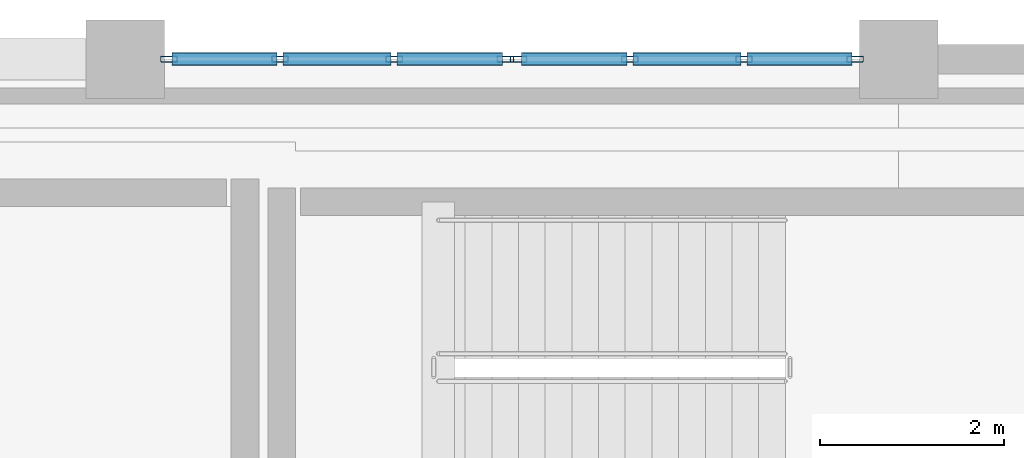
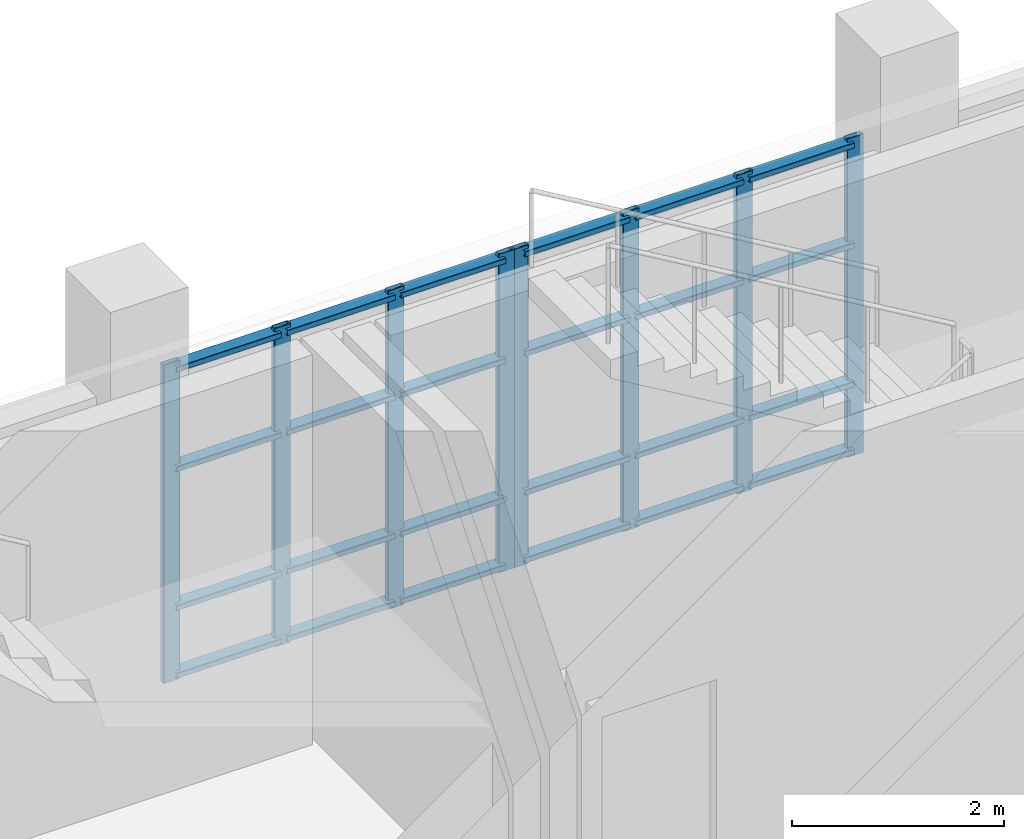
# One storey, part 33 of 97: 32 members, 2 elements without a shape of their own.
"""IFC4 building model written with IfcOpenShell, lengths in metres."""

from ifc_helpers import new_model, si_unit, direction, frame, origin, origin_2d, place, context, subcontext, project, spatial, hollow_rectangle, extrude, material, layer, layer_set, material_profile, profile_set, type_object, element, aggregate, save


model = new_model("IFC4")

# Units and contexts
model_context = context("Model", 3, precision=1e-05, world=origin(), true_north=direction((0.0, 1.0)))
body_context = subcontext(model_context, "Body", "Model", "MODEL_VIEW")
ifc_project = project(units=[si_unit("LENGTHUNIT", "METRE"), si_unit("AREAUNIT", "SQUARE_METRE"), si_unit("VOLUMEUNIT", "CUBIC_METRE"), si_unit("PLANEANGLEUNIT", "RADIAN"), si_unit("MASSUNIT", "GRAM", prefix="KILO")], contexts=[model_context])

# Site, building, storey
site_placement = place(None, origin())
site = spatial("IfcSite", under=ifc_project, at=site_placement, CompositionType="ELEMENT")
building_placement = place(site_placement, origin())
building = spatial("IfcBuilding", under=site, at=building_placement, Name="Kisaragi Civic Commons", CompositionType="ELEMENT")
storey_placement = place(building_placement, origin())
storey = spatial("IfcBuildingStorey", under=building, at=storey_placement, Name="L00", CompositionType="ELEMENT", Elevation=0.0)

# Curtain wall, members
ifc_material = material(Name="Thermally broken anodized aluminium and low-E double glazing", Category="aluminium")
ifc_layer = layer(ifc_material, 0.179931640625, Name="Thermally broken anodized aluminium and low-E double glazing", Category="aluminium")
ifc_layer_set = layer_set([ifc_layer], Name="Thermally broken anodized aluminium and low-E double glazing")
curtain_wall_type = type_object("IfcCurtainWallType", Name="CW-01", PredefinedType="NOTDEFINED", material=ifc_layer_set)
curtain_wall_1_placement = place(storey_placement, origin())
curtain_wall_1 = element("IfcCurtainWall", 1, at=curtain_wall_1_placement, inside=storey, type_object=curtain_wall_type, Name="L00 curtain wall CW-01 CW-V4-L00-045", PredefinedType="NOTDEFINED")
ifc_material_profile_1 = material_profile(ifc_material, hollow_rectangle(XDim=0.06494140625, YDim=0.179931640625, WallThickness=0.00439453125, InnerFilletRadius=0.00439453125, OuterFilletRadius=0.009033203125, at=origin_2d()), Name="CWM-65x180x4.5", Category="aluminium")
ifc_profile_set_1 = profile_set([ifc_material_profile_1], Name="Thermally broken anodized aluminium and low-E double glazing")
member_type_1 = type_object("IfcMemberType", Name="CWM-02", PredefinedType="MULLION", material=ifc_profile_set_1)
member_1_placement = place(storey_placement, frame((97.672607421875, 118.800048828125, 0.0), z_axis=(0.0, 0.0, 1.0), x_axis=(0.0, 1.0, 0.0)))
member_1 = element("IfcMember", 2, at=member_1_placement, type_object=member_type_1, Name="CW-01 mullion 1", PredefinedType="MULLION", context=body_context, shape_type="SweptSolid", body=[
    extrude(hollow_rectangle(XDim=0.06494140625, YDim=0.179931640625, WallThickness=0.00439453125, InnerFilletRadius=0.00439453125, OuterFilletRadius=0.009033203125, at=origin_2d()), origin(), (0.0, 0.0, 1.0), 3.669921875),
])
member_2_placement = place(storey_placement, frame((98.8798828125, 118.800048828125, 0.0), z_axis=(0.0, 0.0, 1.0), x_axis=(0.0, 1.0, 0.0)))
member_2 = element("IfcMember", 3, at=member_2_placement, type_object=member_type_1, Name="CW-01 mullion 2", PredefinedType="MULLION", context=body_context, shape_type="SweptSolid", body=[
    extrude(hollow_rectangle(XDim=0.06494140625, YDim=0.179931640625, WallThickness=0.00439453125, InnerFilletRadius=0.00439453125, OuterFilletRadius=0.009033203125, at=origin_2d()), origin(), (0.0, 0.0, 1.0), 3.669921875),
])
member_3_placement = place(storey_placement, frame((100.1201171875, 118.800048828125, 0.0), z_axis=(0.0, 0.0, 1.0), x_axis=(0.0, 1.0, 0.0)))
member_3 = element("IfcMember", 4, at=member_3_placement, type_object=member_type_1, Name="CW-01 mullion 3", PredefinedType="MULLION", context=body_context, shape_type="SweptSolid", body=[
    extrude(hollow_rectangle(XDim=0.06494140625, YDim=0.179931640625, WallThickness=0.00439453125, InnerFilletRadius=0.00439453125, OuterFilletRadius=0.009033203125, at=origin_2d()), origin(), (0.0, 0.0, 1.0), 3.669921875),
])
member_4_placement = place(storey_placement, frame((101.327392578125, 118.800048828125, 0.0), z_axis=(0.0, 0.0, 1.0), x_axis=(0.0, 1.0, 0.0)))
member_4 = element("IfcMember", 5, at=member_4_placement, type_object=member_type_1, Name="CW-01 mullion 4", PredefinedType="MULLION", context=body_context, shape_type="SweptSolid", body=[
    extrude(hollow_rectangle(XDim=0.06494140625, YDim=0.179931640625, WallThickness=0.00439453125, InnerFilletRadius=0.00439453125, OuterFilletRadius=0.009033203125, at=origin_2d()), origin(), (0.0, 0.0, 1.0), 3.669921875),
])

curtain_wall_2_placement = place(storey_placement, origin())
curtain_wall_2 = element("IfcCurtainWall", 6, at=curtain_wall_2_placement, inside=storey, type_object=curtain_wall_type, Name="L00 curtain wall CW-01 CW-V4-L00-046", PredefinedType="NOTDEFINED")
member_5_placement = place(storey_placement, frame((101.472412109375, 118.800048828125, 0.0), z_axis=(0.0, 0.0, 1.0), x_axis=(0.0, 1.0, 0.0)))
member_5 = element("IfcMember", 7, at=member_5_placement, type_object=member_type_1, Name="CW-01 mullion 1", PredefinedType="MULLION", context=body_context, shape_type="SweptSolid", body=[
    extrude(hollow_rectangle(XDim=0.06494140625, YDim=0.179931640625, WallThickness=0.00439453125, InnerFilletRadius=0.00439453125, OuterFilletRadius=0.009033203125, at=origin_2d()), origin(), (0.0, 0.0, 1.0), 3.669921875),
])
member_6_placement = place(storey_placement, frame((102.679931640625, 118.800048828125, 0.0), z_axis=(0.0, 0.0, 1.0), x_axis=(0.0, 1.0, 0.0)))
member_6 = element("IfcMember", 8, at=member_6_placement, type_object=member_type_1, Name="CW-01 mullion 2", PredefinedType="MULLION", context=body_context, shape_type="SweptSolid", body=[
    extrude(hollow_rectangle(XDim=0.06494140625, YDim=0.179931640625, WallThickness=0.00439453125, InnerFilletRadius=0.00439453125, OuterFilletRadius=0.009033203125, at=origin_2d()), origin(), (0.0, 0.0, 1.0), 3.669921875),
])
member_7_placement = place(storey_placement, frame((103.919921875, 118.800048828125, 0.0), z_axis=(0.0, 0.0, 1.0), x_axis=(0.0, 1.0, 0.0)))
member_7 = element("IfcMember", 9, at=member_7_placement, type_object=member_type_1, Name="CW-01 mullion 3", PredefinedType="MULLION", context=body_context, shape_type="SweptSolid", body=[
    extrude(hollow_rectangle(XDim=0.06494140625, YDim=0.179931640625, WallThickness=0.00439453125, InnerFilletRadius=0.00439453125, OuterFilletRadius=0.009033203125, at=origin_2d()), origin(), (0.0, 0.0, 1.0), 3.669921875),
])
member_8_placement = place(storey_placement, frame((105.12744140625, 118.800048828125, 0.0), z_axis=(0.0, 0.0, 1.0), x_axis=(0.0, 1.0, 0.0)))
member_8 = element("IfcMember", 10, at=member_8_placement, type_object=member_type_1, Name="CW-01 mullion 4", PredefinedType="MULLION", context=body_context, shape_type="SweptSolid", body=[
    extrude(hollow_rectangle(XDim=0.06494140625, YDim=0.179931640625, WallThickness=0.00439453125, InnerFilletRadius=0.00439453125, OuterFilletRadius=0.009033203125, at=origin_2d()), origin(), (0.0, 0.0, 1.0), 3.669921875),
])

# Member
ifc_material_profile_2 = material_profile(ifc_material, hollow_rectangle(XDim=0.139892578125, YDim=0.06494140625, WallThickness=0.00439453125, InnerFilletRadius=0.00439453125, OuterFilletRadius=0.009033203125, at=origin_2d()), Name="CWT-65x140x4.5", Category="aluminium")
ifc_profile_set_2 = profile_set([ifc_material_profile_2], Name="Thermally broken anodized aluminium and low-E double glazing")
member_type_2 = type_object("IfcMemberType", Name="CWT-02", PredefinedType="USERDEFINED", material=ifc_profile_set_2)
member_9_placement = place(storey_placement, frame((97.705078125, 118.800048828125, 0.070068359375), z_axis=(1.0, 0.0, 0.0), x_axis=(0.0, 1.0, 0.0)))
member_9 = element("IfcMember", 11, at=member_9_placement, type_object=member_type_2, Name="CW-01 transom 1.1", ObjectType="TRANSOM", PredefinedType="USERDEFINED", context=body_context, shape_type="SweptSolid", body=[
    extrude(hollow_rectangle(XDim=0.139892578125, YDim=0.06494140625, WallThickness=0.00439453125, InnerFilletRadius=0.00439453125, OuterFilletRadius=0.009033203125, at=origin_2d()), origin(), (0.0, 0.0, 1.0), 1.142333984375),
])

member_10_placement = place(storey_placement, frame((97.705078125, 118.800048828125, 0.85009765625), z_axis=(1.0, 0.0, 0.0), x_axis=(0.0, 1.0, 0.0)))
member_10 = element("IfcMember", 12, at=member_10_placement, type_object=member_type_2, Name="CW-01 transom 1.2", ObjectType="TRANSOM", PredefinedType="USERDEFINED", context=body_context, shape_type="SweptSolid", body=[
    extrude(hollow_rectangle(XDim=0.139892578125, YDim=0.06494140625, WallThickness=0.00439453125, InnerFilletRadius=0.00439453125, OuterFilletRadius=0.009033203125, at=origin_2d()), origin(), (0.0, 0.0, 1.0), 1.142333984375),
])

member_11_placement = place(storey_placement, frame((97.705078125, 118.800048828125, 2.449951171875), z_axis=(1.0, 0.0, 0.0), x_axis=(0.0, 1.0, 0.0)))
member_11 = element("IfcMember", 13, at=member_11_placement, type_object=member_type_2, Name="CW-01 transom 1.3", ObjectType="TRANSOM", PredefinedType="USERDEFINED", context=body_context, shape_type="SweptSolid", body=[
    extrude(hollow_rectangle(XDim=0.139892578125, YDim=0.06494140625, WallThickness=0.00439453125, InnerFilletRadius=0.00439453125, OuterFilletRadius=0.009033203125, at=origin_2d()), origin(), (0.0, 0.0, 1.0), 1.142333984375),
])

member_12_placement = place(storey_placement, frame((97.705078125, 118.800048828125, 3.60009765625), z_axis=(1.0, 0.0, 0.0), x_axis=(0.0, 1.0, 0.0)))
member_12 = element("IfcMember", 14, at=member_12_placement, type_object=member_type_2, Name="CW-01 transom 1.4", ObjectType="TRANSOM", PredefinedType="USERDEFINED", context=body_context, shape_type="SweptSolid", body=[
    extrude(hollow_rectangle(XDim=0.139892578125, YDim=0.06494140625, WallThickness=0.00439453125, InnerFilletRadius=0.00439453125, OuterFilletRadius=0.009033203125, at=origin_2d()), origin(), (0.0, 0.0, 1.0), 1.142333984375),
])

member_13_placement = place(storey_placement, frame((98.91259765625, 118.800048828125, 0.070068359375), z_axis=(1.0, 0.0, 0.0), x_axis=(0.0, 1.0, 0.0)))
member_13 = element("IfcMember", 15, at=member_13_placement, type_object=member_type_2, Name="CW-01 transom 2.1", ObjectType="TRANSOM", PredefinedType="USERDEFINED", context=body_context, shape_type="SweptSolid", body=[
    extrude(hollow_rectangle(XDim=0.139892578125, YDim=0.06494140625, WallThickness=0.00439453125, InnerFilletRadius=0.00439453125, OuterFilletRadius=0.009033203125, at=origin_2d()), origin(), (0.0, 0.0, 1.0), 1.1748046875),
])

member_14_placement = place(storey_placement, frame((98.91259765625, 118.800048828125, 0.85009765625), z_axis=(1.0, 0.0, 0.0), x_axis=(0.0, 1.0, 0.0)))
member_14 = element("IfcMember", 16, at=member_14_placement, type_object=member_type_2, Name="CW-01 transom 2.2", ObjectType="TRANSOM", PredefinedType="USERDEFINED", context=body_context, shape_type="SweptSolid", body=[
    extrude(hollow_rectangle(XDim=0.139892578125, YDim=0.06494140625, WallThickness=0.00439453125, InnerFilletRadius=0.00439453125, OuterFilletRadius=0.009033203125, at=origin_2d()), origin(), (0.0, 0.0, 1.0), 1.1748046875),
])

member_15_placement = place(storey_placement, frame((98.91259765625, 118.800048828125, 2.449951171875), z_axis=(1.0, 0.0, 0.0), x_axis=(0.0, 1.0, 0.0)))
member_15 = element("IfcMember", 17, at=member_15_placement, type_object=member_type_2, Name="CW-01 transom 2.3", ObjectType="TRANSOM", PredefinedType="USERDEFINED", context=body_context, shape_type="SweptSolid", body=[
    extrude(hollow_rectangle(XDim=0.139892578125, YDim=0.06494140625, WallThickness=0.00439453125, InnerFilletRadius=0.00439453125, OuterFilletRadius=0.009033203125, at=origin_2d()), origin(), (0.0, 0.0, 1.0), 1.1748046875),
])

member_16_placement = place(storey_placement, frame((98.91259765625, 118.800048828125, 3.60009765625), z_axis=(1.0, 0.0, 0.0), x_axis=(0.0, 1.0, 0.0)))
member_16 = element("IfcMember", 18, at=member_16_placement, type_object=member_type_2, Name="CW-01 transom 2.4", ObjectType="TRANSOM", PredefinedType="USERDEFINED", context=body_context, shape_type="SweptSolid", body=[
    extrude(hollow_rectangle(XDim=0.139892578125, YDim=0.06494140625, WallThickness=0.00439453125, InnerFilletRadius=0.00439453125, OuterFilletRadius=0.009033203125, at=origin_2d()), origin(), (0.0, 0.0, 1.0), 1.1748046875),
])

member_17_placement = place(storey_placement, frame((100.152587890625, 118.800048828125, 0.070068359375), z_axis=(1.0, 0.0, 0.0), x_axis=(0.0, 1.0, 0.0)))
member_17 = element("IfcMember", 19, at=member_17_placement, type_object=member_type_2, Name="CW-01 transom 3.1", ObjectType="TRANSOM", PredefinedType="USERDEFINED", context=body_context, shape_type="SweptSolid", body=[
    extrude(hollow_rectangle(XDim=0.139892578125, YDim=0.06494140625, WallThickness=0.00439453125, InnerFilletRadius=0.00439453125, OuterFilletRadius=0.009033203125, at=origin_2d()), origin(), (0.0, 0.0, 1.0), 1.142333984375),
])

member_18_placement = place(storey_placement, frame((100.152587890625, 118.800048828125, 0.85009765625), z_axis=(1.0, 0.0, 0.0), x_axis=(0.0, 1.0, 0.0)))
member_18 = element("IfcMember", 20, at=member_18_placement, type_object=member_type_2, Name="CW-01 transom 3.2", ObjectType="TRANSOM", PredefinedType="USERDEFINED", context=body_context, shape_type="SweptSolid", body=[
    extrude(hollow_rectangle(XDim=0.139892578125, YDim=0.06494140625, WallThickness=0.00439453125, InnerFilletRadius=0.00439453125, OuterFilletRadius=0.009033203125, at=origin_2d()), origin(), (0.0, 0.0, 1.0), 1.142333984375),
])

member_19_placement = place(storey_placement, frame((100.152587890625, 118.800048828125, 2.449951171875), z_axis=(1.0, 0.0, 0.0), x_axis=(0.0, 1.0, 0.0)))
member_19 = element("IfcMember", 21, at=member_19_placement, type_object=member_type_2, Name="CW-01 transom 3.3", ObjectType="TRANSOM", PredefinedType="USERDEFINED", context=body_context, shape_type="SweptSolid", body=[
    extrude(hollow_rectangle(XDim=0.139892578125, YDim=0.06494140625, WallThickness=0.00439453125, InnerFilletRadius=0.00439453125, OuterFilletRadius=0.009033203125, at=origin_2d()), origin(), (0.0, 0.0, 1.0), 1.142333984375),
])

member_20_placement = place(storey_placement, frame((100.152587890625, 118.800048828125, 3.60009765625), z_axis=(1.0, 0.0, 0.0), x_axis=(0.0, 1.0, 0.0)))
member_20 = element("IfcMember", 22, at=member_20_placement, type_object=member_type_2, Name="CW-01 transom 3.4", ObjectType="TRANSOM", PredefinedType="USERDEFINED", context=body_context, shape_type="SweptSolid", body=[
    extrude(hollow_rectangle(XDim=0.139892578125, YDim=0.06494140625, WallThickness=0.00439453125, InnerFilletRadius=0.00439453125, OuterFilletRadius=0.009033203125, at=origin_2d()), origin(), (0.0, 0.0, 1.0), 1.142333984375),
])

aggregate(curtain_wall_1, [member_1, member_2, member_3, member_4, member_9, member_10, member_11, member_12, member_13, member_14, member_15, member_16, member_17, member_18, member_19, member_20])

member_21_placement = place(storey_placement, frame((101.5048828125, 118.800048828125, 0.070068359375), z_axis=(1.0, 0.0, 0.0), x_axis=(0.0, 1.0, 0.0)))
member_21 = element("IfcMember", 23, at=member_21_placement, type_object=member_type_2, Name="CW-01 transom 1.1", ObjectType="TRANSOM", PredefinedType="USERDEFINED", context=body_context, shape_type="SweptSolid", body=[
    extrude(hollow_rectangle(XDim=0.139892578125, YDim=0.06494140625, WallThickness=0.00439453125, InnerFilletRadius=0.00439453125, OuterFilletRadius=0.009033203125, at=origin_2d()), origin(), (0.0, 0.0, 1.0), 1.142578125),
])

member_22_placement = place(storey_placement, frame((101.5048828125, 118.800048828125, 0.85009765625), z_axis=(1.0, 0.0, 0.0), x_axis=(0.0, 1.0, 0.0)))
member_22 = element("IfcMember", 24, at=member_22_placement, type_object=member_type_2, Name="CW-01 transom 1.2", ObjectType="TRANSOM", PredefinedType="USERDEFINED", context=body_context, shape_type="SweptSolid", body=[
    extrude(hollow_rectangle(XDim=0.139892578125, YDim=0.06494140625, WallThickness=0.00439453125, InnerFilletRadius=0.00439453125, OuterFilletRadius=0.009033203125, at=origin_2d()), origin(), (0.0, 0.0, 1.0), 1.142578125),
])

member_23_placement = place(storey_placement, frame((101.5048828125, 118.800048828125, 2.449951171875), z_axis=(1.0, 0.0, 0.0), x_axis=(0.0, 1.0, 0.0)))
member_23 = element("IfcMember", 25, at=member_23_placement, type_object=member_type_2, Name="CW-01 transom 1.3", ObjectType="TRANSOM", PredefinedType="USERDEFINED", context=body_context, shape_type="SweptSolid", body=[
    extrude(hollow_rectangle(XDim=0.139892578125, YDim=0.06494140625, WallThickness=0.00439453125, InnerFilletRadius=0.00439453125, OuterFilletRadius=0.009033203125, at=origin_2d()), origin(), (0.0, 0.0, 1.0), 1.142578125),
])

member_24_placement = place(storey_placement, frame((101.5048828125, 118.800048828125, 3.60009765625), z_axis=(1.0, 0.0, 0.0), x_axis=(0.0, 1.0, 0.0)))
member_24 = element("IfcMember", 26, at=member_24_placement, type_object=member_type_2, Name="CW-01 transom 1.4", ObjectType="TRANSOM", PredefinedType="USERDEFINED", context=body_context, shape_type="SweptSolid", body=[
    extrude(hollow_rectangle(XDim=0.139892578125, YDim=0.06494140625, WallThickness=0.00439453125, InnerFilletRadius=0.00439453125, OuterFilletRadius=0.009033203125, at=origin_2d()), origin(), (0.0, 0.0, 1.0), 1.142578125),
])

member_25_placement = place(storey_placement, frame((102.71240234375, 118.800048828125, 0.070068359375), z_axis=(1.0, 0.0, 0.0), x_axis=(0.0, 1.0, 0.0)))
member_25 = element("IfcMember", 27, at=member_25_placement, type_object=member_type_2, Name="CW-01 transom 2.1", ObjectType="TRANSOM", PredefinedType="USERDEFINED", context=body_context, shape_type="SweptSolid", body=[
    extrude(hollow_rectangle(XDim=0.139892578125, YDim=0.06494140625, WallThickness=0.00439453125, InnerFilletRadius=0.00439453125, OuterFilletRadius=0.009033203125, at=origin_2d()), origin(), (0.0, 0.0, 1.0), 1.175048828125),
])

member_26_placement = place(storey_placement, frame((102.71240234375, 118.800048828125, 0.85009765625), z_axis=(1.0, 0.0, 0.0), x_axis=(0.0, 1.0, 0.0)))
member_26 = element("IfcMember", 28, at=member_26_placement, type_object=member_type_2, Name="CW-01 transom 2.2", ObjectType="TRANSOM", PredefinedType="USERDEFINED", context=body_context, shape_type="SweptSolid", body=[
    extrude(hollow_rectangle(XDim=0.139892578125, YDim=0.06494140625, WallThickness=0.00439453125, InnerFilletRadius=0.00439453125, OuterFilletRadius=0.009033203125, at=origin_2d()), origin(), (0.0, 0.0, 1.0), 1.175048828125),
])

member_27_placement = place(storey_placement, frame((102.71240234375, 118.800048828125, 2.449951171875), z_axis=(1.0, 0.0, 0.0), x_axis=(0.0, 1.0, 0.0)))
member_27 = element("IfcMember", 29, at=member_27_placement, type_object=member_type_2, Name="CW-01 transom 2.3", ObjectType="TRANSOM", PredefinedType="USERDEFINED", context=body_context, shape_type="SweptSolid", body=[
    extrude(hollow_rectangle(XDim=0.139892578125, YDim=0.06494140625, WallThickness=0.00439453125, InnerFilletRadius=0.00439453125, OuterFilletRadius=0.009033203125, at=origin_2d()), origin(), (0.0, 0.0, 1.0), 1.175048828125),
])

member_28_placement = place(storey_placement, frame((102.71240234375, 118.800048828125, 3.60009765625), z_axis=(1.0, 0.0, 0.0), x_axis=(0.0, 1.0, 0.0)))
member_28 = element("IfcMember", 30, at=member_28_placement, type_object=member_type_2, Name="CW-01 transom 2.4", ObjectType="TRANSOM", PredefinedType="USERDEFINED", context=body_context, shape_type="SweptSolid", body=[
    extrude(hollow_rectangle(XDim=0.139892578125, YDim=0.06494140625, WallThickness=0.00439453125, InnerFilletRadius=0.00439453125, OuterFilletRadius=0.009033203125, at=origin_2d()), origin(), (0.0, 0.0, 1.0), 1.175048828125),
])

member_29_placement = place(storey_placement, frame((103.952392578125, 118.800048828125, 0.070068359375), z_axis=(1.0, 0.0, 0.0), x_axis=(0.0, 1.0, 0.0)))
member_29 = element("IfcMember", 31, at=member_29_placement, type_object=member_type_2, Name="CW-01 transom 3.1", ObjectType="TRANSOM", PredefinedType="USERDEFINED", context=body_context, shape_type="SweptSolid", body=[
    extrude(hollow_rectangle(XDim=0.139892578125, YDim=0.06494140625, WallThickness=0.00439453125, InnerFilletRadius=0.00439453125, OuterFilletRadius=0.009033203125, at=origin_2d()), origin(), (0.0, 0.0, 1.0), 1.142578125),
])

member_30_placement = place(storey_placement, frame((103.952392578125, 118.800048828125, 0.85009765625), z_axis=(1.0, 0.0, 0.0), x_axis=(0.0, 1.0, 0.0)))
member_30 = element("IfcMember", 32, at=member_30_placement, type_object=member_type_2, Name="CW-01 transom 3.2", ObjectType="TRANSOM", PredefinedType="USERDEFINED", context=body_context, shape_type="SweptSolid", body=[
    extrude(hollow_rectangle(XDim=0.139892578125, YDim=0.06494140625, WallThickness=0.00439453125, InnerFilletRadius=0.00439453125, OuterFilletRadius=0.009033203125, at=origin_2d()), origin(), (0.0, 0.0, 1.0), 1.142578125),
])

member_31_placement = place(storey_placement, frame((103.952392578125, 118.800048828125, 2.449951171875), z_axis=(1.0, 0.0, 0.0), x_axis=(0.0, 1.0, 0.0)))
member_31 = element("IfcMember", 33, at=member_31_placement, type_object=member_type_2, Name="CW-01 transom 3.3", ObjectType="TRANSOM", PredefinedType="USERDEFINED", context=body_context, shape_type="SweptSolid", body=[
    extrude(hollow_rectangle(XDim=0.139892578125, YDim=0.06494140625, WallThickness=0.00439453125, InnerFilletRadius=0.00439453125, OuterFilletRadius=0.009033203125, at=origin_2d()), origin(), (0.0, 0.0, 1.0), 1.142578125),
])

member_32_placement = place(storey_placement, frame((103.952392578125, 118.800048828125, 3.60009765625), z_axis=(1.0, 0.0, 0.0), x_axis=(0.0, 1.0, 0.0)))
member_32 = element("IfcMember", 34, at=member_32_placement, type_object=member_type_2, Name="CW-01 transom 3.4", ObjectType="TRANSOM", PredefinedType="USERDEFINED", context=body_context, shape_type="SweptSolid", body=[
    extrude(hollow_rectangle(XDim=0.139892578125, YDim=0.06494140625, WallThickness=0.00439453125, InnerFilletRadius=0.00439453125, OuterFilletRadius=0.009033203125, at=origin_2d()), origin(), (0.0, 0.0, 1.0), 1.142578125),
])

aggregate(curtain_wall_2, [member_5, member_6, member_7, member_8, member_21, member_22, member_23, member_24, member_25, member_26, member_27, member_28, member_29, member_30, member_31, member_32])

save(model, "model.ifc")
